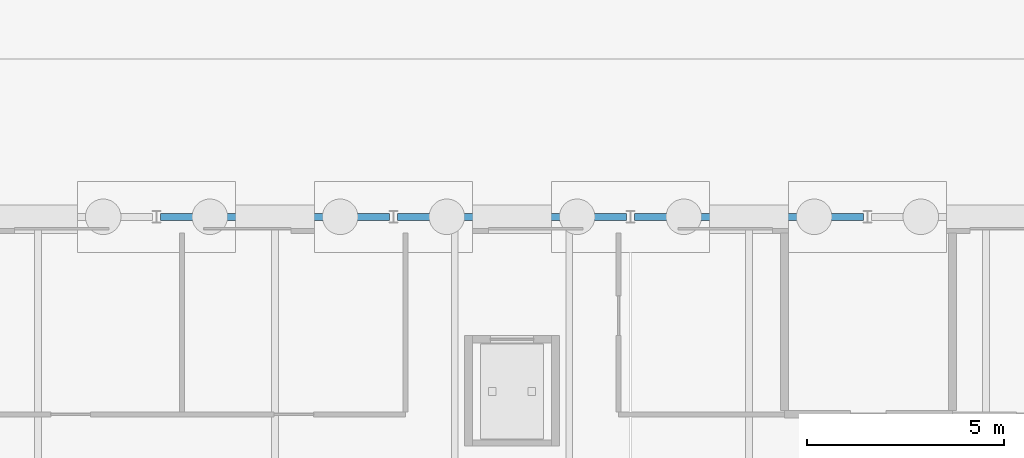
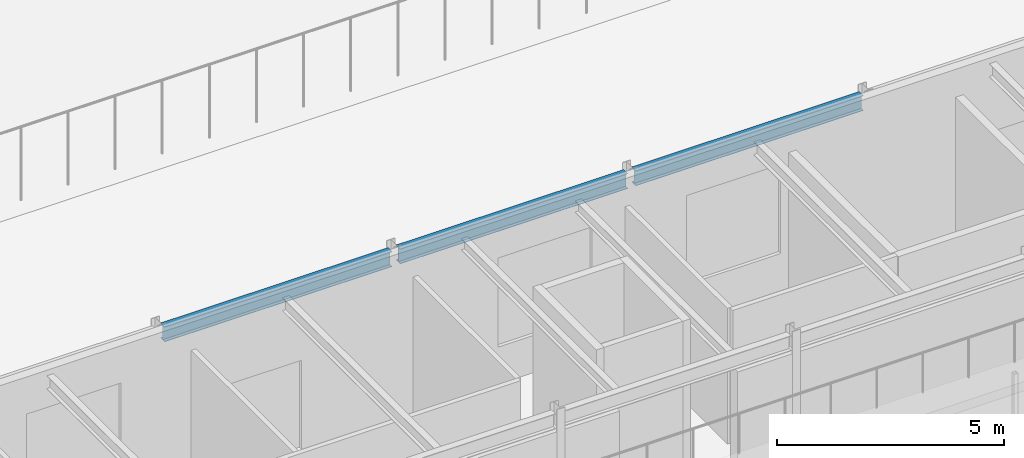
# One storey, part 35 of 139: 3 beams.
"""IFC4 building model written with IfcOpenShell, lengths in metres."""

from ifc_helpers import new_model, si_unit, direction, frame, origin, origin_2d, place, context, subcontext, project, spatial, i_section, extrude, material, material_profile, profile_set, type_object, element, save


model = new_model("IFC4")

# Units and contexts
model_context = context("Model", 3, precision=1e-05, world=origin(), true_north=direction((0.0, 1.0)))
body_context = subcontext(model_context, "Body", "Model", "MODEL_VIEW")
ifc_project = project(units=[si_unit("LENGTHUNIT", "METRE"), si_unit("AREAUNIT", "SQUARE_METRE"), si_unit("VOLUMEUNIT", "CUBIC_METRE"), si_unit("PLANEANGLEUNIT", "RADIAN"), si_unit("MASSUNIT", "GRAM", prefix="KILO")], contexts=[model_context])

# Site, building, storey
site_placement = place(None, origin())
site = spatial("IfcSite", under=ifc_project, at=site_placement, CompositionType="ELEMENT")
building_placement = place(site_placement, origin())
building = spatial("IfcBuilding", under=site, at=building_placement, Name="Verrick Yard Athletic Hall", CompositionType="ELEMENT")
storey_placement = place(building_placement, origin())
storey = spatial("IfcBuildingStorey", under=building, at=storey_placement, Name="L00", CompositionType="ELEMENT", Elevation=0.0)

# Beams
ifc_material = material(Name="Structural steel 350W (CSA G40.21)", Category="steel")
ifc_material_profile = material_profile(ifc_material, i_section(OverallWidth=0.177978515625, OverallDepth=0.406982421875, WebThickness=0.0078125, FlangeThickness=0.0126953125, at=origin_2d()), Name="W410x60")
ifc_profile_set = profile_set([ifc_material_profile], Name="Structural steel 350W (CSA G40.21)")
beam_type = type_object("IfcBeamType", Name="HB girder W410x60", PredefinedType="BEAM", material=ifc_profile_set)
for number, where, z_axis, x_axis, name in (
    (1, (40.1025390625, 108.0, 4.04638671875), (1.0, 0.0, 0.0), (0.0, 1.0, 0.0), "HB-GB-B-L01-N3"),
    (2, (46.1025390625, 108.0, 4.04638671875), (1.0, 0.0, 0.0), (0.0, 1.0, 0.0), "HB-GB-B-L01-N4"),
    (3, (52.1025390625, 108.0, 4.04638671875), (1.0, 0.0, 0.0), (0.0, 1.0, 0.0), "HB-GB-B-L01-N5"),
):
    element("IfcBeam", number, at=place(storey_placement, frame(where, z_axis=z_axis, x_axis=x_axis)), inside=storey, type_object=beam_type, Name=name, PredefinedType="BEAM", context=body_context, shape_type="SweptSolid", body=[
        extrude(i_section(OverallWidth=0.177978515625, OverallDepth=0.406982421875, WebThickness=0.0078125, FlangeThickness=0.0126953125, at=origin_2d()), origin(), (0.0, 0.0, 1.0), 5.794921875),
    ])

save(model, "model.ifc")
